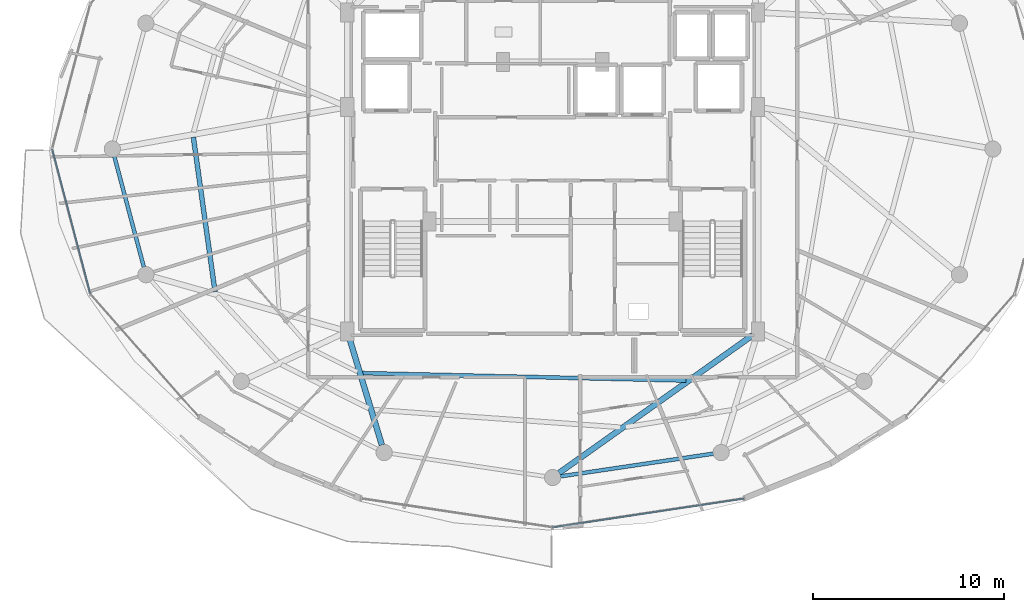
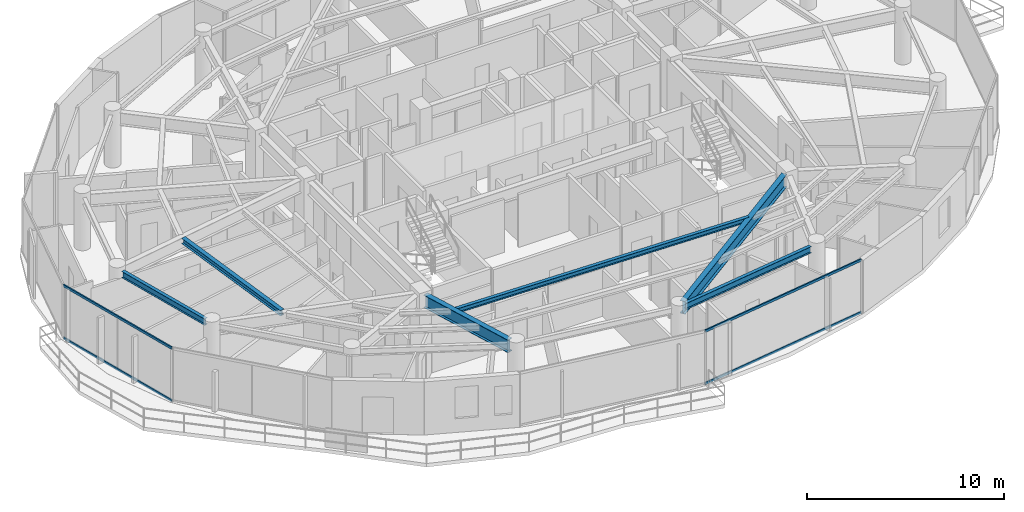
# One storey, part 6 of 31: 6 beams, 4 members, 2 elements without a shape of their own.
"""IFC4 building model written with IfcOpenShell, lengths in metres."""

import ifcopenshell
import ifcopenshell.guid

model = None  # the IFC model being written
_history = None  # IfcOwnerHistory: only IFC2X3 demands one
_inside = {}  # id of a spatial element -> (the spatial element, [elements in it])
_under = {}  # id of a project, library or spatial element -> (it, [spatial elements below it])
_declared = {}  # id of a project -> (the project, [libraries it declares])
_typed = {}  # id of a type object -> (the type object, [elements of that type])
_made_of = {}  # id of a material, layer set ... -> (it, [elements and type objects made of it])


def new_model(schema):
    """Start an empty IFC model of exactly this schema.

    Asked for "IFC4X3", IfcOpenShell would pick the latest addendum, in which some entities
    have other attributes; the version numbers below select the first issue.
    IFC2X3 requires an IfcOwnerHistory on every rooted entity: one is made here for all.
    """
    global model, _history
    if schema == "IFC4X3":
        model = ifcopenshell.file(schema_version=(4, 3, 0, 0))
    else:
        model = ifcopenshell.file(schema=schema)
    _inside.clear()
    _under.clear()
    _declared.clear()
    _typed.clear()
    _made_of.clear()
    _history = None
    if model.schema == "IFC2X3":
        org = make("IfcOrganization", Name="unknown")
        user = make(
            "IfcPersonAndOrganization",
            ThePerson=make("IfcPerson", FamilyName="unknown"),
            TheOrganization=org,
        )
        app = make(
            "IfcApplication",
            ApplicationDeveloper=org,
            Version="unknown",
            ApplicationFullName="unknown",
            ApplicationIdentifier="unknown",
        )
        _history = make(
            "IfcOwnerHistory",
            OwningUser=user,
            OwningApplication=app,
            ChangeAction="ADDED",
            CreationDate=0,
        )
    return model


def make(cls, **values):
    """One entity of the class cls with the attributes given. An attribute that is None is left unset."""
    return model.create_entity(
        cls, **{name: value for name, value in values.items() if value is not None}
    )


def rooted(cls, **values):
    """An entity with a GlobalId (a new one), such as an element, a storey or a relation."""
    return make(cls, GlobalId=ifcopenshell.guid.new(), OwnerHistory=_history, **values)


def si_unit(unit_type, name, prefix=None):
    """IfcSIUnit, for example si_unit("LENGTHUNIT", "METRE", prefix="MILLI")."""
    return make("IfcSIUnit", UnitType=unit_type, Prefix=prefix, Name=name)


def assignment(units):
    """IfcUnitAssignment: the units of a project."""
    return None if units is None else make("IfcUnitAssignment", Units=units)


def point(xyz):
    """IfcCartesianPoint."""
    return None if xyz is None else make("IfcCartesianPoint", Coordinates=xyz)


def direction(xyz):
    """IfcDirection."""
    return None if xyz is None else make("IfcDirection", DirectionRatios=xyz)


def frame(location, z_axis=None, x_axis=None):
    """IfcAxis2Placement3D, a coordinate frame: its origin and axes. An axis left out is left unset."""
    return make(
        "IfcAxis2Placement3D",
        Location=point(location),
        Axis=direction(z_axis),
        RefDirection=direction(x_axis),
    )


def frame_2d(location, x_axis=None):
    """IfcAxis2Placement2D, a coordinate frame in the plane: its origin and x axis."""
    return make(
        "IfcAxis2Placement2D", Location=point(location), RefDirection=direction(x_axis)
    )


def origin():
    """The frame at (0, 0, 0) with its axes left unset."""
    return frame((0.0, 0.0, 0.0))


def origin_2d():
    """The frame at (0, 0) in the plane with its x axis left unset."""
    return frame_2d((0.0, 0.0))


def place(relative_to, where):
    """IfcLocalPlacement: puts the frame where relative to a parent placement (None: the world)."""
    return make(
        "IfcLocalPlacement", PlacementRelTo=relative_to, RelativePlacement=where
    )


def context(
    kind, dimensions, precision=None, world=None, true_north=None, identifier=None
):
    """IfcGeometricRepresentationContext, for example the 3D "Model" context."""
    return make(
        "IfcGeometricRepresentationContext",
        ContextIdentifier=identifier,
        ContextType=kind,
        CoordinateSpaceDimension=dimensions,
        Precision=precision,
        WorldCoordinateSystem=world,
        TrueNorth=true_north,
    )


def subcontext(parent, identifier, kind, view, scale=None):
    """IfcGeometricRepresentationSubContext, for example "Body" below "Model"."""
    return make(
        "IfcGeometricRepresentationSubContext",
        ContextIdentifier=identifier,
        ContextType=kind,
        ParentContext=parent,
        TargetScale=scale,
        TargetView=view,
    )


def project(units=None, contexts=None):
    """IfcProject with its units and contexts."""
    return rooted(
        "IfcProject",
        Name="project",
        RepresentationContexts=contexts,
        UnitsInContext=assignment(units),
    )


def spatial(cls, under=None, at=None, **own):
    """A site, building, storey or space (cls), placed at a placement, below another one or the project."""
    s = rooted(cls, ObjectPlacement=at, **own)
    if under is not None:
        _under.setdefault(under.id(), (under, []))[1].append(s)
    return s


def profile(cls, at=None, kind="AREA", **sizes):
    """A parametric profile (cls). Its sizes go by their IFC names, for example OverallWidth=200.0."""
    return make(cls, ProfileType=kind, Position=at, **sizes)


def hollow_rectangle(**sizes):
    """IfcRectangleHollowProfileDef."""
    return profile("IfcRectangleHollowProfileDef", **sizes)


def i_section(**sizes):
    """IfcIShapeProfileDef."""
    return profile("IfcIShapeProfileDef", **sizes)


def extrude(swept, where, along, depth):
    """IfcExtrudedAreaSolid: the profile swept, set in the frame where, extruded along a direction by depth."""
    return make(
        "IfcExtrudedAreaSolid",
        SweptArea=swept,
        Position=where,
        ExtrudedDirection=direction(along),
        Depth=depth,
    )


def shape(context_of_items, identifier, shape_type, items):
    """IfcShapeRepresentation: the items that make up one representation, for example the "Body"."""
    return make(
        "IfcShapeRepresentation",
        ContextOfItems=context_of_items,
        RepresentationIdentifier=identifier,
        RepresentationType=shape_type,
        Items=items,
    )


def material(Name=None, Category=None):
    """IfcMaterial."""
    return make("IfcMaterial", Name=Name, Category=Category)


def material_profile(
    of_material, cross_section, Name=None, Category=None, Priority=None
):
    """IfcMaterialProfile: a cross section and its material."""
    return make(
        "IfcMaterialProfile",
        Name=Name,
        Material=of_material,
        Profile=cross_section,
        Priority=Priority,
        Category=Category,
    )


def profile_set(profiles, Name=None, composite=None):
    """IfcMaterialProfileSet."""
    return make(
        "IfcMaterialProfileSet",
        Name=Name,
        MaterialProfiles=profiles,
        CompositeProfile=composite,
    )


def made_of(thing, what):
    """Note that an element or type object is made of a material, layer set ...; save() writes the relation."""
    if what is not None:
        _made_of.setdefault(what.id(), (what, []))[1].append(thing)
    return thing


def type_object(cls, material=None, **own):
    """A type object (cls), such as IfcWallType, which elements share."""
    return made_of(rooted(cls, **own), material)


def element(
    cls,
    number,
    at=None,
    inside=None,
    cuts=None,
    type_object=None,
    material=None,
    context=None,
    identifier="Body",
    shape_type=None,
    held_by="IfcProductDefinitionShape",
    body=None,
    shapes=None,
    **own,
):
    """One element of the class cls, such as IfcWall. Its Tag is "e" and its number.

    at: its placement. inside: the storey or other place that contains it. cuts: it is an
    opening in that element (IfcRelVoidsElement). A single representation is given by context,
    identifier, shape_type and body (its items); several are given by shapes. held_by: the class
    of the entity that holds the representations. save() writes the other relations.
    """
    e = rooted(cls, Tag="e%d" % number, ObjectPlacement=at, **own)
    if body is not None:
        shapes = [shape(context, identifier, shape_type, body)]
    if shapes is not None:
        e.Representation = make(held_by, Representations=shapes)
    if inside is not None:
        _inside.setdefault(inside.id(), (inside, []))[1].append(e)
    if cuts is not None:
        rooted(
            "IfcRelVoidsElement", RelatingBuildingElement=cuts, RelatedOpeningElement=e
        )
    if type_object is not None:
        _typed.setdefault(type_object.id(), (type_object, []))[1].append(e)
    return made_of(e, material)


def aggregate(whole, parts):
    """IfcRelAggregates: a whole, such as a stair, and the parts it consists of."""
    return rooted("IfcRelAggregates", RelatingObject=whole, RelatedObjects=parts)


def save(model, path):
    """Write the relations noted so far, then the file.

    IfcRelAggregates (storeys below a building ...), IfcRelContainedInSpatialStructure (elements
    in a storey), IfcRelDefinesByType, IfcRelAssociatesMaterial and IfcRelDeclares: one each for
    every whole, place, type object, material and project.
    """
    for whole, parts in _under.values():
        aggregate(whole, parts)
    for where, things in _inside.values():
        rooted(
            "IfcRelContainedInSpatialStructure",
            RelatedElements=things,
            RelatingStructure=where,
        )
    for kind, things in _typed.values():
        rooted("IfcRelDefinesByType", RelatedObjects=things, RelatingType=kind)
    for what, things in _made_of.values():
        rooted("IfcRelAssociatesMaterial", RelatedObjects=things, RelatingMaterial=what)
    for by, libraries in _declared.values():
        rooted("IfcRelDeclares", RelatingContext=by, RelatedDefinitions=libraries)
    model.write(path)


model = new_model("IFC4")

# Units and contexts
model_context = context("Model", 3, precision=1e-05, world=origin(), true_north=direction((0.0, 1.0)))
body_context = subcontext(model_context, "Body", "Model", "MODEL_VIEW")
ifc_project = project(units=[si_unit("LENGTHUNIT", "METRE"), si_unit("AREAUNIT", "SQUARE_METRE"), si_unit("VOLUMEUNIT", "CUBIC_METRE"), si_unit("PLANEANGLEUNIT", "RADIAN"), si_unit("MASSUNIT", "GRAM", prefix="KILO")], contexts=[model_context])

# Site, building, storey
site_placement = place(None, origin())
site = spatial("IfcSite", under=ifc_project, at=site_placement, CompositionType="ELEMENT")
building_placement = place(site_placement, origin())
building = spatial("IfcBuilding", under=site, at=building_placement, Name="Vorneva Point Tower", CompositionType="ELEMENT")
storey_placement = place(building_placement, frame((0.0, 0.0, 266.199951171875)))
storey = spatial("IfcBuildingStorey", under=building, at=storey_placement, Name="L72", CompositionType="ELEMENT", Elevation=266.199951171875)

# Beams
ifc_material_1 = material(Name="Steel S355", Category="steel")
ifc_material_profile_1 = material_profile(ifc_material_1, i_section(OverallWidth=0.300048828125, OverallDepth=0.7880859375, WebThickness=0.014404296875, FlangeThickness=0.02197265625, at=origin_2d()), Name="80Sh1")
ifc_profile_set_1 = profile_set([ifc_material_profile_1], Name="Steel S355")
beam_type_1 = type_object("IfcBeamType", Name="BM-GRD-80Sh1", PredefinedType="USERDEFINED", material=ifc_profile_set_1)
beam_1_placement = place(storey_placement, frame((29.058837890625, 10.50439453125, 2.89599609375), z_axis=(-0.291032624293, 0.956713129207, 0.0), x_axis=(-0.956713129207, -0.291032624293, 0.0)))
element("IfcBeam", 1, at=beam_1_placement, inside=storey, type_object=beam_type_1, Name="L72 Radial Primary Girder 12", ObjectType="GIRDER", PredefinedType="USERDEFINED", context=body_context, shape_type="SweptSolid", body=[
    extrude(i_section(OverallWidth=0.300048828125, OverallDepth=0.7880859375, WebThickness=0.014404296875, FlangeThickness=0.02197265625, at=origin_2d()), origin(), (0.0, 0.0, 1.0), 5.874755859375),
])
beam_2_placement = place(storey_placement, frame((38.33642578125, 9.03955078125, 2.89599609375), z_axis=(0.814757147543, 0.579802371958, 0.0), x_axis=(-0.579802371958, 0.814757147543, 0.0)))
element("IfcBeam", 2, at=beam_2_placement, inside=storey, type_object=beam_type_1, Name="L72 Radial Primary Girder 13", ObjectType="GIRDER", PredefinedType="USERDEFINED", context=body_context, shape_type="SweptSolid", body=[
    extrude(i_section(OverallWidth=0.300048828125, OverallDepth=0.7880859375, WebThickness=0.014404296875, FlangeThickness=0.02197265625, at=origin_2d()), origin(), (0.0, 0.0, 1.0), 12.441162109375),
])
ifc_material_profile_2 = material_profile(ifc_material_1, i_section(OverallWidth=0.199951171875, OverallDepth=0.291015625, WebThickness=0.008056640625, FlangeThickness=0.010986328125, at=origin_2d()), Name="30Sh1")
ifc_profile_set_2 = profile_set([ifc_material_profile_2], Name="Steel S355")
beam_type_2 = type_object("IfcBeamType", Name="BM-SEC-30Sh1", PredefinedType="BEAM", material=ifc_profile_set_2)
beam_3_placement = place(storey_placement, frame((28.05126953125, 14.266845703125, 3.14453125), z_axis=(0.999733534919, -0.023083742277, 0.0), x_axis=(0.023083742277, 0.999733534919, 0.0)))
element("IfcBeam", 3, at=beam_3_placement, inside=storey, type_object=beam_type_2, Name="L72 Secondary Floor Beam 2.12", PredefinedType="BEAM", context=body_context, shape_type="SweptSolid", body=[
    extrude(i_section(OverallWidth=0.199951171875, OverallDepth=0.291015625, WebThickness=0.008056640625, FlangeThickness=0.010986328125, at=origin_2d()), origin(), (0.0, 0.0, 1.0), 16.943115234375),
])
ifc_material_profile_3 = material_profile(ifc_material_1, i_section(OverallWidth=0.2490234375, OverallDepth=0.333984375, WebThickness=0.008056640625, FlangeThickness=0.010986328125, at=origin_2d()), Name="35Sh1")
ifc_profile_set_3 = profile_set([ifc_material_profile_3], Name="Steel S355")
beam_type_3 = type_object("IfcBeamType", Name="BM-SEC-35Sh1", PredefinedType="BEAM", material=ifc_profile_set_3)
beam_4_placement = place(storey_placement, frame((19.190185546875, 26.618408203125, 3.123046875), z_axis=(0.138796784083, -0.990320883718, 0.0), x_axis=(0.990320883718, 0.138796784083, 0.0)))
element("IfcBeam", 4, at=beam_4_placement, inside=storey, type_object=beam_type_3, Name="L72 Secondary Floor Beam 1.09", PredefinedType="BEAM", context=body_context, shape_type="SweptSolid", body=[
    extrude(i_section(OverallWidth=0.2490234375, OverallDepth=0.333984375, WebThickness=0.008056640625, FlangeThickness=0.010986328125, at=origin_2d()), origin(), (0.0, 0.0, 1.0), 8.1669921875),
])
ifc_material_profile_4 = material_profile(ifc_material_1, i_section(OverallWidth=0.198974609375, OverallDepth=0.39599609375, WebThickness=0.007080078125, FlangeThickness=0.010986328125, at=origin_2d()), Name="40B1")
ifc_profile_set_4 = profile_set([ifc_material_profile_4], Name="Steel S355")
beam_type_4 = type_object("IfcBeamType", Name="BM-SPN-40B1", PredefinedType="SPANDREL", material=ifc_profile_set_4)
beam_5_placement = place(storey_placement, frame((15.0556640625, 25.603759765625, 3.092041015625), z_axis=(0.257586570866, -0.966255224312, 0.0), x_axis=(0.966255224312, 0.257586570866, 0.0)))
element("IfcBeam", 5, at=beam_5_placement, inside=storey, type_object=beam_type_4, Name="L72 Perimeter Spandrel Ring Beam 09", PredefinedType="SPANDREL", context=body_context, shape_type="SweptSolid", body=[
    extrude(i_section(OverallWidth=0.198974609375, OverallDepth=0.39599609375, WebThickness=0.007080078125, FlangeThickness=0.010986328125, at=origin_2d()), origin(), (0.0, 0.0, 1.0), 5.991943359375),
])
beam_6_placement = place(storey_placement, frame((38.405517578125, 8.860107421875, 3.092041015625), z_axis=(0.989161657331, 0.146830567886, 0.0), x_axis=(-0.146830567886, 0.989161657331, 0.0)))
element("IfcBeam", 6, at=beam_6_placement, inside=storey, type_object=beam_type_4, Name="L72 Perimeter Spandrel Ring Beam 13", PredefinedType="SPANDREL", context=body_context, shape_type="SweptSolid", body=[
    extrude(i_section(OverallWidth=0.198974609375, OverallDepth=0.39599609375, WebThickness=0.007080078125, FlangeThickness=0.010986328125, at=origin_2d()), origin(), (0.0, 0.0, 1.0), 8.097412109375),
])

# Curtain wall, members
ifc_material_2 = material(Name="Pale anodised aluminium", Category="aluminium")
curtain_wall_type = type_object("IfcCurtainWallType", Name="CW-RES-SYS", PredefinedType="NOTDEFINED", material=ifc_material_2)
curtain_wall_1_placement = place(storey_placement, origin())
curtain_wall_1 = element("IfcCurtainWall", 7, at=curtain_wall_1_placement, inside=storey, type_object=curtain_wall_type, Name="L72 Unitised Curtain Wall CW-L72-R03", PredefinedType="NOTDEFINED")
ifc_material_profile_5 = material_profile(ifc_material_2, hollow_rectangle(XDim=0.074951171875, YDim=0.14990234375, WallThickness=0.00390625, at=origin_2d()), Name="AL-TRN 150x75x4")
ifc_profile_set_5 = profile_set([ifc_material_profile_5], Name="Pale anodised aluminium")
member_type = type_object("IfcMemberType", Name="CW-TRN-150", PredefinedType="USERDEFINED", material=ifc_profile_set_5)
member_1_placement = place(storey_placement, frame((11.800048828125, 26.0, 0.02001953125), z_axis=(0.254418180926, -0.967094302131, 0.0), x_axis=(0.967094302131, 0.254418180926, 0.0)))
member_1 = element("IfcMember", 8, at=member_1_placement, type_object=member_type, Name="CW-L72-R03 Transom 03.1", ObjectType="TRANSOM", PredefinedType="USERDEFINED", context=body_context, shape_type="SweptSolid", body=[
    extrude(hollow_rectangle(XDim=0.074951171875, YDim=0.14990234375, WallThickness=0.00390625, at=origin_2d()), origin(), (0.0, 0.0, 1.0), 7.839111328125),
])
member_2_placement = place(storey_placement, frame((11.800048828125, 26.0, 3.27001953125), z_axis=(0.254418180926, -0.967094302131, 0.0), x_axis=(0.967094302131, 0.254418180926, 0.0)))
member_2 = element("IfcMember", 9, at=member_2_placement, type_object=member_type, Name="CW-L72-R03 Transom 03.2", ObjectType="TRANSOM", PredefinedType="USERDEFINED", context=body_context, shape_type="SweptSolid", body=[
    extrude(hollow_rectangle(XDim=0.074951171875, YDim=0.14990234375, WallThickness=0.00390625, at=origin_2d()), origin(), (0.0, 0.0, 1.0), 7.839111328125),
])
aggregate(curtain_wall_1, [member_1, member_2])

curtain_wall_2_placement = place(storey_placement, origin())
curtain_wall_2 = element("IfcCurtainWall", 10, at=curtain_wall_2_placement, inside=storey, type_object=curtain_wall_type, Name="L72 Unitised Curtain Wall CW-L72-R04", PredefinedType="NOTDEFINED")
member_3_placement = place(storey_placement, frame((38.0, 6.18994140625, 0.02001953125), z_axis=(0.988876929856, 0.148736066907, 0.0), x_axis=(-0.148736066907, 0.988876929856, 0.0)))
member_3 = element("IfcMember", 11, at=member_3_placement, type_object=member_type, Name="CW-L72-R04 Transom 02.1", ObjectType="TRANSOM", PredefinedType="USERDEFINED", context=body_context, shape_type="SweptSolid", body=[
    extrude(hollow_rectangle(XDim=0.074951171875, YDim=0.14990234375, WallThickness=0.00390625, at=origin_2d()), origin(), (0.0, 0.0, 1.0), 10.13916015625),
])
member_4_placement = place(storey_placement, frame((38.0, 6.18994140625, 3.27001953125), z_axis=(0.988876929856, 0.148736066907, 0.0), x_axis=(-0.148736066907, 0.988876929856, 0.0)))
member_4 = element("IfcMember", 12, at=member_4_placement, type_object=member_type, Name="CW-L72-R04 Transom 02.2", ObjectType="TRANSOM", PredefinedType="USERDEFINED", context=body_context, shape_type="SweptSolid", body=[
    extrude(hollow_rectangle(XDim=0.074951171875, YDim=0.14990234375, WallThickness=0.00390625, at=origin_2d()), origin(), (0.0, 0.0, 1.0), 10.13916015625),
])
aggregate(curtain_wall_2, [member_3, member_4])

save(model, "model.ifc")
